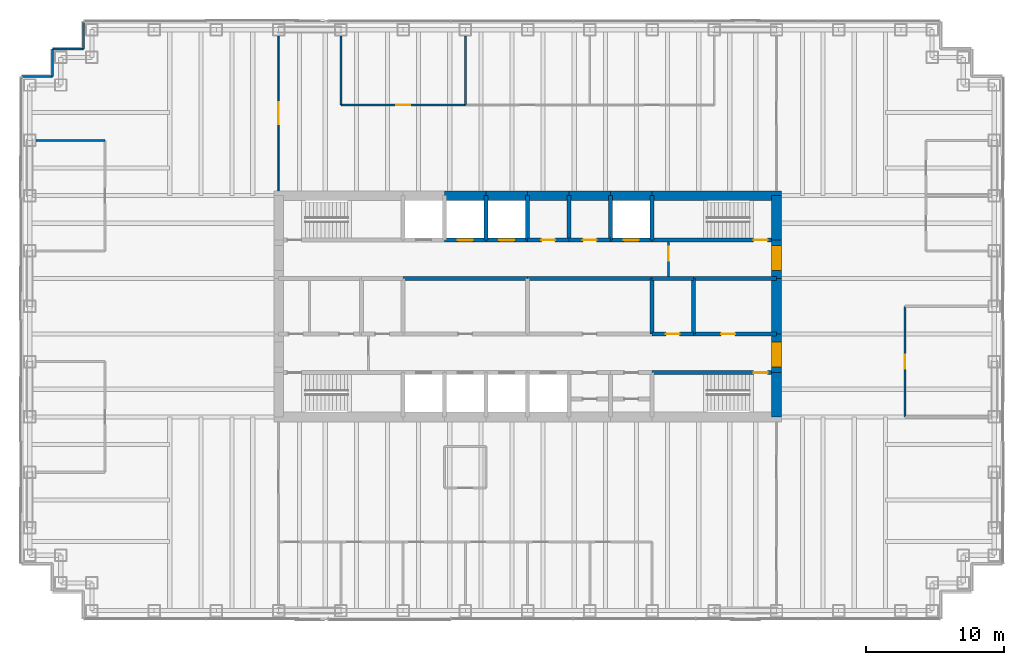
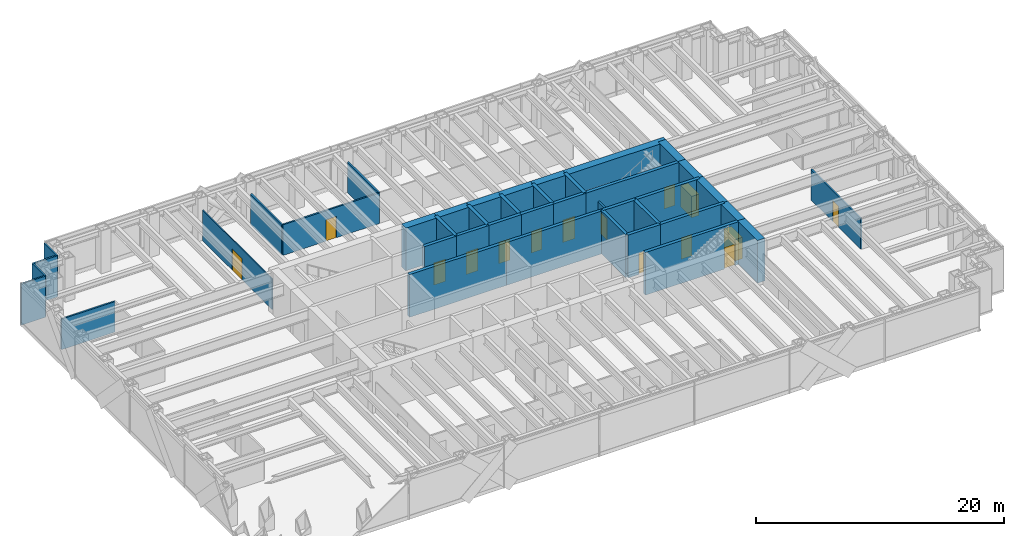
# One storey, part 15 of 17: 42 walls, 15 doors, 15 openings.
"""IFC4 building model written with IfcOpenShell, lengths in metres."""

import ifcopenshell
import ifcopenshell.guid

model = None  # the IFC model being written
_history = None  # IfcOwnerHistory: only IFC2X3 demands one
_inside = {}  # id of a spatial element -> (the spatial element, [elements in it])
_under = {}  # id of a project, library or spatial element -> (it, [spatial elements below it])
_declared = {}  # id of a project -> (the project, [libraries it declares])
_typed = {}  # id of a type object -> (the type object, [elements of that type])
_made_of = {}  # id of a material, layer set ... -> (it, [elements and type objects made of it])


def new_model(schema):
    """Start an empty IFC model of exactly this schema.

    Asked for "IFC4X3", IfcOpenShell would pick the latest addendum, in which some entities
    have other attributes; the version numbers below select the first issue.
    IFC2X3 requires an IfcOwnerHistory on every rooted entity: one is made here for all.
    """
    global model, _history
    if schema == "IFC4X3":
        model = ifcopenshell.file(schema_version=(4, 3, 0, 0))
    else:
        model = ifcopenshell.file(schema=schema)
    _inside.clear()
    _under.clear()
    _declared.clear()
    _typed.clear()
    _made_of.clear()
    _history = None
    if model.schema == "IFC2X3":
        org = make("IfcOrganization", Name="unknown")
        user = make(
            "IfcPersonAndOrganization",
            ThePerson=make("IfcPerson", FamilyName="unknown"),
            TheOrganization=org,
        )
        app = make(
            "IfcApplication",
            ApplicationDeveloper=org,
            Version="unknown",
            ApplicationFullName="unknown",
            ApplicationIdentifier="unknown",
        )
        _history = make(
            "IfcOwnerHistory",
            OwningUser=user,
            OwningApplication=app,
            ChangeAction="ADDED",
            CreationDate=0,
        )
    return model


def make(cls, **values):
    """One entity of the class cls with the attributes given. An attribute that is None is left unset."""
    return model.create_entity(
        cls, **{name: value for name, value in values.items() if value is not None}
    )


def rooted(cls, **values):
    """An entity with a GlobalId (a new one), such as an element, a storey or a relation."""
    return make(cls, GlobalId=ifcopenshell.guid.new(), OwnerHistory=_history, **values)


def si_unit(unit_type, name, prefix=None):
    """IfcSIUnit, for example si_unit("LENGTHUNIT", "METRE", prefix="MILLI")."""
    return make("IfcSIUnit", UnitType=unit_type, Prefix=prefix, Name=name)


def assignment(units):
    """IfcUnitAssignment: the units of a project."""
    return None if units is None else make("IfcUnitAssignment", Units=units)


def point(xyz):
    """IfcCartesianPoint."""
    return None if xyz is None else make("IfcCartesianPoint", Coordinates=xyz)


def direction(xyz):
    """IfcDirection."""
    return None if xyz is None else make("IfcDirection", DirectionRatios=xyz)


def frame(location, z_axis=None, x_axis=None):
    """IfcAxis2Placement3D, a coordinate frame: its origin and axes. An axis left out is left unset."""
    return make(
        "IfcAxis2Placement3D",
        Location=point(location),
        Axis=direction(z_axis),
        RefDirection=direction(x_axis),
    )


def frame_2d(location, x_axis=None):
    """IfcAxis2Placement2D, a coordinate frame in the plane: its origin and x axis."""
    return make(
        "IfcAxis2Placement2D", Location=point(location), RefDirection=direction(x_axis)
    )


def origin():
    """The frame at (0, 0, 0) with its axes left unset."""
    return frame((0.0, 0.0, 0.0))


def place(relative_to, where):
    """IfcLocalPlacement: puts the frame where relative to a parent placement (None: the world)."""
    return make(
        "IfcLocalPlacement", PlacementRelTo=relative_to, RelativePlacement=where
    )


def context(
    kind, dimensions, precision=None, world=None, true_north=None, identifier=None
):
    """IfcGeometricRepresentationContext, for example the 3D "Model" context."""
    return make(
        "IfcGeometricRepresentationContext",
        ContextIdentifier=identifier,
        ContextType=kind,
        CoordinateSpaceDimension=dimensions,
        Precision=precision,
        WorldCoordinateSystem=world,
        TrueNorth=true_north,
    )


def subcontext(parent, identifier, kind, view, scale=None):
    """IfcGeometricRepresentationSubContext, for example "Body" below "Model"."""
    return make(
        "IfcGeometricRepresentationSubContext",
        ContextIdentifier=identifier,
        ContextType=kind,
        ParentContext=parent,
        TargetScale=scale,
        TargetView=view,
    )


def project(units=None, contexts=None):
    """IfcProject with its units and contexts."""
    return rooted(
        "IfcProject",
        Name="project",
        RepresentationContexts=contexts,
        UnitsInContext=assignment(units),
    )


def spatial(cls, under=None, at=None, **own):
    """A site, building, storey or space (cls), placed at a placement, below another one or the project."""
    s = rooted(cls, ObjectPlacement=at, **own)
    if under is not None:
        _under.setdefault(under.id(), (under, []))[1].append(s)
    return s


def profile(cls, at=None, kind="AREA", **sizes):
    """A parametric profile (cls). Its sizes go by their IFC names, for example OverallWidth=200.0."""
    return make(cls, ProfileType=kind, Position=at, **sizes)


def rectangle(**sizes):
    """IfcRectangleProfileDef."""
    return profile("IfcRectangleProfileDef", **sizes)


def extrude(swept, where, along, depth):
    """IfcExtrudedAreaSolid: the profile swept, set in the frame where, extruded along a direction by depth."""
    return make(
        "IfcExtrudedAreaSolid",
        SweptArea=swept,
        Position=where,
        ExtrudedDirection=direction(along),
        Depth=depth,
    )


def shape(context_of_items, identifier, shape_type, items):
    """IfcShapeRepresentation: the items that make up one representation, for example the "Body"."""
    return make(
        "IfcShapeRepresentation",
        ContextOfItems=context_of_items,
        RepresentationIdentifier=identifier,
        RepresentationType=shape_type,
        Items=items,
    )


def material(Name=None, Category=None):
    """IfcMaterial."""
    return make("IfcMaterial", Name=Name, Category=Category)


def layer(
    of_material, thickness, ventilated=None, Name=None, Category=None, Priority=None
):
    """IfcMaterialLayer: one layer of a wall or slab, of a material (None: an air gap)."""
    return make(
        "IfcMaterialLayer",
        Material=of_material,
        LayerThickness=thickness,
        IsVentilated=ventilated,
        Name=Name,
        Category=Category,
        Priority=Priority,
    )


def layer_set(layers, Name=None):
    """IfcMaterialLayerSet."""
    return make("IfcMaterialLayerSet", MaterialLayers=layers, LayerSetName=Name)


def made_of(thing, what):
    """Note that an element or type object is made of a material, layer set ...; save() writes the relation."""
    if what is not None:
        _made_of.setdefault(what.id(), (what, []))[1].append(thing)
    return thing


def type_object(cls, material=None, **own):
    """A type object (cls), such as IfcWallType, which elements share."""
    return made_of(rooted(cls, **own), material)


def element(
    cls,
    number,
    at=None,
    inside=None,
    cuts=None,
    type_object=None,
    material=None,
    context=None,
    identifier="Body",
    shape_type=None,
    held_by="IfcProductDefinitionShape",
    body=None,
    shapes=None,
    **own,
):
    """One element of the class cls, such as IfcWall. Its Tag is "e" and its number.

    at: its placement. inside: the storey or other place that contains it. cuts: it is an
    opening in that element (IfcRelVoidsElement). A single representation is given by context,
    identifier, shape_type and body (its items); several are given by shapes. held_by: the class
    of the entity that holds the representations. save() writes the other relations.
    """
    e = rooted(cls, Tag="e%d" % number, ObjectPlacement=at, **own)
    if body is not None:
        shapes = [shape(context, identifier, shape_type, body)]
    if shapes is not None:
        e.Representation = make(held_by, Representations=shapes)
    if inside is not None:
        _inside.setdefault(inside.id(), (inside, []))[1].append(e)
    if cuts is not None:
        rooted(
            "IfcRelVoidsElement", RelatingBuildingElement=cuts, RelatedOpeningElement=e
        )
    if type_object is not None:
        _typed.setdefault(type_object.id(), (type_object, []))[1].append(e)
    return made_of(e, material)


def fill(opening, filler):
    """IfcRelFillsElement: the door or window that sits in an opening."""
    return rooted(
        "IfcRelFillsElement",
        RelatingOpeningElement=opening,
        RelatedBuildingElement=filler,
    )


def aggregate(whole, parts):
    """IfcRelAggregates: a whole, such as a stair, and the parts it consists of."""
    return rooted("IfcRelAggregates", RelatingObject=whole, RelatedObjects=parts)


def save(model, path):
    """Write the relations noted so far, then the file.

    IfcRelAggregates (storeys below a building ...), IfcRelContainedInSpatialStructure (elements
    in a storey), IfcRelDefinesByType, IfcRelAssociatesMaterial and IfcRelDeclares: one each for
    every whole, place, type object, material and project.
    """
    for whole, parts in _under.values():
        aggregate(whole, parts)
    for where, things in _inside.values():
        rooted(
            "IfcRelContainedInSpatialStructure",
            RelatedElements=things,
            RelatingStructure=where,
        )
    for kind, things in _typed.values():
        rooted("IfcRelDefinesByType", RelatedObjects=things, RelatingType=kind)
    for what, things in _made_of.values():
        rooted("IfcRelAssociatesMaterial", RelatedObjects=things, RelatingMaterial=what)
    for by, libraries in _declared.values():
        rooted("IfcRelDeclares", RelatingContext=by, RelatedDefinitions=libraries)
    model.write(path)


model = new_model("IFC4")

# Units and contexts
model_context = context("Model", 3, precision=1e-05, world=origin(), true_north=direction((0.0, 1.0)))
body_context = subcontext(model_context, "Body", "Model", "MODEL_VIEW")
ifc_project = project(units=[si_unit("LENGTHUNIT", "METRE"), si_unit("AREAUNIT", "SQUARE_METRE"), si_unit("VOLUMEUNIT", "CUBIC_METRE"), si_unit("PLANEANGLEUNIT", "RADIAN"), si_unit("MASSUNIT", "GRAM", prefix="KILO")], contexts=[model_context])

# Site, building, storey
site_placement = place(None, origin())
site = spatial("IfcSite", under=ifc_project, at=site_placement, CompositionType="ELEMENT")
building_placement = place(site_placement, origin())
building = spatial("IfcBuilding", under=site, at=building_placement, Name="Rheinbord Bourse Tower", CompositionType="ELEMENT")
storey_placement = place(building_placement, frame((0.0, 0.0, 287.89990234375)))
storey = spatial("IfcBuildingStorey", under=building, at=storey_placement, Name="L65", CompositionType="ELEMENT", Elevation=287.89990234375)

# Wall, opening, door
ifc_material_1 = material(Name="Concrete C50/60", Category="concrete")
ifc_layer_1 = layer(ifc_material_1, 0.300048828125)
ifc_layer_set_1 = layer_set([ifc_layer_1], Name="CORE INNER WALL 300")
wall_type_1 = type_object("IfcWallType", Name="CORE INNER WALL 300", PredefinedType="SOLIDWALL", material=ifc_layer_set_1)
wall_1_placement = place(storey_placement, frame((45.0, 19.199951171875, 0.0), z_axis=(0.0, 0.0, 1.0), x_axis=(1.0, 0.0, 0.0)))
wall_1 = element("IfcWall", 1, at=wall_1_placement, inside=storey, type_object=wall_type_1, Name="Core wall A8 L65", PredefinedType="SOLIDWALL", context=body_context, shape_type="SweptSolid", body=[
    extrude(rectangle(XDim=9.0, YDim=0.300048828125, at=frame_2d((4.5, 0.0))), origin(), (0.0, 0.0, 1.0), 4.2001953125),
])
opening_1_placement = place(wall_1_placement, frame((7.35009765625, 0.0, 0.0)))
opening_1 = element("IfcOpeningElement", 2, at=opening_1_placement, cuts=wall_1, Name="Opening 6530", PredefinedType="OPENING", context=body_context, shape_type="SweptSolid", body=[
    extrude(rectangle(XDim=1.0, YDim=2.10009765625, at=frame_2d((0.5, 1.050048828125))), frame((0.0, 0.159912109375, 0.0), z_axis=(0.0, -1.0, 0.0), x_axis=(1.0, 0.0, 0.0)), (0.0, 0.0, 1.0), 0.320068359375),
])
ifc_material_2 = material(Name="Steel door", Category="steel")
door_type_1 = type_object("IfcDoorType", Name="DOOR 1000 EI30", OperationType="SINGLE_SWING_LEFT", PredefinedType="DOOR", material=ifc_material_2)
door_1_placement = place(opening_1_placement, origin())
door_1 = element("IfcDoor", 3, at=door_1_placement, inside=storey, type_object=door_type_1, Name="Stair door ST3 L65", OperationType="SINGLE_SWING_RIGHT", OverallHeight=2.10009765625, OverallWidth=1.0, PredefinedType="DOOR", context=body_context, shape_type="SweptSolid", body=[
    extrude(rectangle(XDim=1.0, YDim=2.10009765625, at=frame_2d((0.5, 1.050048828125))), frame((0.0, 0.02490234375, 0.0), z_axis=(0.0, -1.0, 0.0), x_axis=(1.0, 0.0, 0.0)), (0.0, 0.0, 1.0), 0.050048828125),
])
fill(opening_1, door_1)

wall_2_placement = place(storey_placement, frame((30.0, 28.800048828125, 0.0), z_axis=(0.0, 0.0, 1.0), x_axis=(1.0, 0.0, 0.0)))
wall_2 = element("IfcWall", 4, at=wall_2_placement, inside=storey, type_object=wall_type_1, Name="Core wall B3 L65", PredefinedType="SOLIDWALL", context=body_context, shape_type="SweptSolid", body=[
    extrude(rectangle(XDim=3.0, YDim=0.300048828125, at=frame_2d((1.5, 0.0))), origin(), (0.0, 0.0, 1.0), 4.2001953125),
])
opening_2_placement = place(wall_2_placement, frame((0.949951171875, 0.0, 0.0)))
opening_2 = element("IfcOpeningElement", 5, at=opening_2_placement, cuts=wall_2, Name="Opening PD4", PredefinedType="OPENING", context=body_context, shape_type="SweptSolid", body=[
    extrude(rectangle(XDim=1.10009765625, YDim=2.199951171875, at=frame_2d((0.550048828125, 1.10009765625))), frame((0.0, 0.159912109375, 0.0), z_axis=(0.0, -1.0, 0.0), x_axis=(1.0, 0.0, 0.0)), (0.0, 0.0, 1.0), 0.320068359375),
])
ifc_material_3 = material(Name="Steel landing door", Category="steel")
door_type_2 = type_object("IfcDoorType", Name="LIFT LANDING DOOR 1100", OperationType="DOUBLE_DOOR_SLIDING", PredefinedType="USERDEFINED", material=ifc_material_3)
door_2_placement = place(opening_2_placement, origin())
door_2 = element("IfcDoor", 6, at=door_2_placement, inside=storey, type_object=door_type_2, Name="Lift landing door PD4 L65", ObjectType="LIFT LANDING DOOR", OperationType="DOUBLE_DOOR_SLIDING", OverallHeight=2.199951171875, OverallWidth=1.10009765625, PredefinedType="USERDEFINED", context=body_context, shape_type="SweptSolid", body=[
    extrude(rectangle(XDim=1.10009765625, YDim=2.199951171875, at=frame_2d((0.550048828125, 1.10009765625))), frame((0.0, 0.02490234375, 0.0), z_axis=(0.0, -1.0, 0.0), x_axis=(1.0, 0.0, 0.0)), (0.0, 0.0, 1.0), 0.050048828125),
])
fill(opening_2, door_2)

wall_3_placement = place(storey_placement, frame((33.0, 28.800048828125, 0.0), z_axis=(0.0, 0.0, 1.0), x_axis=(1.0, 0.0, 0.0)))
wall_3 = element("IfcWall", 7, at=wall_3_placement, inside=storey, type_object=wall_type_1, Name="Core wall B4 L65", PredefinedType="SOLIDWALL", context=body_context, shape_type="SweptSolid", body=[
    extrude(rectangle(XDim=3.0, YDim=0.300048828125, at=frame_2d((1.5, 0.0))), origin(), (0.0, 0.0, 1.0), 4.2001953125),
])
opening_3_placement = place(wall_3_placement, frame((0.949951171875, 0.0, 0.0)))
opening_3 = element("IfcOpeningElement", 8, at=opening_3_placement, cuts=wall_3, Name="Opening PD5", PredefinedType="OPENING", context=body_context, shape_type="SweptSolid", body=[
    extrude(rectangle(XDim=1.10009765625, YDim=2.199951171875, at=frame_2d((0.550048828125, 1.10009765625))), frame((0.0, 0.159912109375, 0.0), z_axis=(0.0, -1.0, 0.0), x_axis=(1.0, 0.0, 0.0)), (0.0, 0.0, 1.0), 0.320068359375),
])
door_3_placement = place(opening_3_placement, origin())
door_3 = element("IfcDoor", 9, at=door_3_placement, inside=storey, type_object=door_type_2, Name="Lift landing door PD5 L65", ObjectType="LIFT LANDING DOOR", OperationType="DOUBLE_DOOR_SLIDING", OverallHeight=2.199951171875, OverallWidth=1.10009765625, PredefinedType="USERDEFINED", context=body_context, shape_type="SweptSolid", body=[
    extrude(rectangle(XDim=1.10009765625, YDim=2.199951171875, at=frame_2d((0.550048828125, 1.10009765625))), frame((0.0, 0.02490234375, 0.0), z_axis=(0.0, -1.0, 0.0), x_axis=(1.0, 0.0, 0.0)), (0.0, 0.0, 1.0), 0.050048828125),
])
fill(opening_3, door_3)

wall_4_placement = place(storey_placement, frame((36.0, 28.800048828125, 0.0), z_axis=(0.0, 0.0, 1.0), x_axis=(1.0, 0.0, 0.0)))
wall_4 = element("IfcWall", 10, at=wall_4_placement, inside=storey, type_object=wall_type_1, Name="Core wall B5 L65", PredefinedType="SOLIDWALL", context=body_context, shape_type="SweptSolid", body=[
    extrude(rectangle(XDim=3.0, YDim=0.300048828125, at=frame_2d((1.5, 0.0))), origin(), (0.0, 0.0, 1.0), 4.2001953125),
])
opening_4_placement = place(wall_4_placement, frame((1.0, 0.0, 0.0)))
opening_4 = element("IfcOpeningElement", 11, at=opening_4_placement, cuts=wall_4, Name="Opening 65R10", PredefinedType="OPENING", context=body_context, shape_type="SweptSolid", body=[
    extrude(rectangle(XDim=1.0, YDim=2.10009765625, at=frame_2d((0.5, 1.050048828125))), frame((0.0, 0.159912109375, 0.0), z_axis=(0.0, -1.0, 0.0), x_axis=(1.0, 0.0, 0.0)), (0.0, 0.0, 1.0), 0.320068359375),
])
door_4_placement = place(opening_4_placement, origin())
door_4 = element("IfcDoor", 12, at=door_4_placement, inside=storey, type_object=door_type_1, Name="Archive store door L65", OperationType="SINGLE_SWING_LEFT", OverallHeight=2.10009765625, OverallWidth=1.0, PredefinedType="DOOR", context=body_context, shape_type="SweptSolid", body=[
    extrude(rectangle(XDim=1.0, YDim=2.10009765625, at=frame_2d((0.5, 1.050048828125))), frame((0.0, 0.02490234375, 0.0), z_axis=(0.0, -1.0, 0.0), x_axis=(1.0, 0.0, 0.0)), (0.0, 0.0, 1.0), 0.050048828125),
])
fill(opening_4, door_4)

wall_5_placement = place(storey_placement, frame((39.0, 28.800048828125, 0.0), z_axis=(0.0, 0.0, 1.0), x_axis=(1.0, 0.0, 0.0)))
wall_5 = element("IfcWall", 13, at=wall_5_placement, inside=storey, type_object=wall_type_1, Name="Core wall B6 L65", PredefinedType="SOLIDWALL", context=body_context, shape_type="SweptSolid", body=[
    extrude(rectangle(XDim=3.0, YDim=0.300048828125, at=frame_2d((1.5, 0.0))), origin(), (0.0, 0.0, 1.0), 4.2001953125),
])
opening_5_placement = place(wall_5_placement, frame((1.0, 0.0, 0.0)))
opening_5 = element("IfcOpeningElement", 14, at=opening_5_placement, cuts=wall_5, Name="Opening 65R11", PredefinedType="OPENING", context=body_context, shape_type="SweptSolid", body=[
    extrude(rectangle(XDim=1.0, YDim=2.10009765625, at=frame_2d((0.5, 1.050048828125))), frame((0.0, 0.159912109375, 0.0), z_axis=(0.0, -1.0, 0.0), x_axis=(1.0, 0.0, 0.0)), (0.0, 0.0, 1.0), 0.320068359375),
])
door_5_placement = place(opening_5_placement, origin())
door_5 = element("IfcDoor", 15, at=door_5_placement, inside=storey, type_object=door_type_1, Name="Mail room door L65", OperationType="SINGLE_SWING_LEFT", OverallHeight=2.10009765625, OverallWidth=1.0, PredefinedType="DOOR", context=body_context, shape_type="SweptSolid", body=[
    extrude(rectangle(XDim=1.0, YDim=2.10009765625, at=frame_2d((0.5, 1.050048828125))), frame((0.0, 0.02490234375, 0.0), z_axis=(0.0, -1.0, 0.0), x_axis=(1.0, 0.0, 0.0)), (0.0, 0.0, 1.0), 0.050048828125),
])
fill(opening_5, door_5)

wall_6_placement = place(storey_placement, frame((42.0, 28.800048828125, 0.0), z_axis=(0.0, 0.0, 1.0), x_axis=(1.0, 0.0, 0.0)))
wall_6 = element("IfcWall", 16, at=wall_6_placement, inside=storey, type_object=wall_type_1, Name="Core wall B7 L65", PredefinedType="SOLIDWALL", context=body_context, shape_type="SweptSolid", body=[
    extrude(rectangle(XDim=3.0, YDim=0.300048828125, at=frame_2d((1.5, 0.0))), origin(), (0.0, 0.0, 1.0), 4.2001953125),
])
opening_6_placement = place(wall_6_placement, frame((0.949951171875, 0.0, 0.0)))
opening_6 = element("IfcOpeningElement", 17, at=opening_6_placement, cuts=wall_6, Name="Opening FL2", PredefinedType="OPENING", context=body_context, shape_type="SweptSolid", body=[
    extrude(rectangle(XDim=1.10009765625, YDim=2.199951171875, at=frame_2d((0.550048828125, 1.10009765625))), frame((0.0, 0.159912109375, 0.0), z_axis=(0.0, -1.0, 0.0), x_axis=(1.0, 0.0, 0.0)), (0.0, 0.0, 1.0), 0.320068359375),
])
door_6_placement = place(opening_6_placement, origin())
door_6 = element("IfcDoor", 18, at=door_6_placement, inside=storey, type_object=door_type_2, Name="Lift landing door FL2 L65", ObjectType="LIFT LANDING DOOR", OperationType="DOUBLE_DOOR_SLIDING", OverallHeight=2.199951171875, OverallWidth=1.10009765625, PredefinedType="USERDEFINED", context=body_context, shape_type="SweptSolid", body=[
    extrude(rectangle(XDim=1.10009765625, YDim=2.199951171875, at=frame_2d((0.550048828125, 1.10009765625))), frame((0.0, 0.02490234375, 0.0), z_axis=(0.0, -1.0, 0.0), x_axis=(1.0, 0.0, 0.0)), (0.0, 0.0, 1.0), 0.050048828125),
])
fill(opening_6, door_6)

wall_7_placement = place(storey_placement, frame((45.0, 28.800048828125, 0.0), z_axis=(0.0, 0.0, 1.0), x_axis=(1.0, 0.0, 0.0)))
wall_7 = element("IfcWall", 19, at=wall_7_placement, inside=storey, type_object=wall_type_1, Name="Core wall B8 L65", PredefinedType="SOLIDWALL", context=body_context, shape_type="SweptSolid", body=[
    extrude(rectangle(XDim=9.0, YDim=0.300048828125, at=frame_2d((4.5, 0.0))), origin(), (0.0, 0.0, 1.0), 4.2001953125),
])
opening_7_placement = place(wall_7_placement, frame((7.35009765625, 0.0, 0.0)))
opening_7 = element("IfcOpeningElement", 20, at=opening_7_placement, cuts=wall_7, Name="Opening 6540", PredefinedType="OPENING", context=body_context, shape_type="SweptSolid", body=[
    extrude(rectangle(XDim=1.0, YDim=2.10009765625, at=frame_2d((0.5, 1.050048828125))), frame((0.0, 0.159912109375, 0.0), z_axis=(0.0, -1.0, 0.0), x_axis=(1.0, 0.0, 0.0)), (0.0, 0.0, 1.0), 0.320068359375),
])
door_7_placement = place(opening_7_placement, origin())
door_7 = element("IfcDoor", 21, at=door_7_placement, inside=storey, type_object=door_type_1, Name="Stair door ST4 L65", OperationType="SINGLE_SWING_RIGHT", OverallHeight=2.10009765625, OverallWidth=1.0, PredefinedType="DOOR", context=body_context, shape_type="SweptSolid", body=[
    extrude(rectangle(XDim=1.0, YDim=2.10009765625, at=frame_2d((0.5, 1.050048828125))), frame((0.0, 0.02490234375, 0.0), z_axis=(0.0, -1.0, 0.0), x_axis=(1.0, 0.0, 0.0)), (0.0, 0.0, 1.0), 0.050048828125),
])
fill(opening_7, door_7)

wall_8_placement = place(storey_placement, frame((45.0, 22.0, 0.0), z_axis=(0.0, 0.0, 1.0), x_axis=(1.0, 0.0, 0.0)))
wall_8 = element("IfcWall", 22, at=wall_8_placement, inside=storey, type_object=wall_type_1, Name="Core wall C5 L65", PredefinedType="SOLIDWALL", context=body_context, shape_type="SweptSolid", body=[
    extrude(rectangle(XDim=3.0, YDim=0.300048828125, at=frame_2d((1.5, 0.0))), origin(), (0.0, 0.0, 1.0), 4.2001953125),
])
opening_8_placement = place(wall_8_placement, frame((1.0, 0.0, 0.0)))
opening_8 = element("IfcOpeningElement", 23, at=opening_8_placement, cuts=wall_8, Name="Opening 65R5", PredefinedType="OPENING", context=body_context, shape_type="SweptSolid", body=[
    extrude(rectangle(XDim=1.0, YDim=2.10009765625, at=frame_2d((0.5, 1.050048828125))), frame((0.0, 0.159912109375, 0.0), z_axis=(0.0, -1.0, 0.0), x_axis=(1.0, 0.0, 0.0)), (0.0, 0.0, 1.0), 0.320068359375),
])
ifc_material_4 = material(Name="Timber door", Category="wood")
door_type_3 = type_object("IfcDoorType", Name="DOOR 1000 WC", OperationType="SINGLE_SWING_LEFT", PredefinedType="DOOR", material=ifc_material_4)
door_8_placement = place(opening_8_placement, origin())
door_8 = element("IfcDoor", 24, at=door_8_placement, inside=storey, type_object=door_type_3, Name="Accessible WC door L65", OperationType="SINGLE_SWING_LEFT", OverallHeight=2.10009765625, OverallWidth=1.0, PredefinedType="DOOR", context=body_context, shape_type="SweptSolid", body=[
    extrude(rectangle(XDim=1.0, YDim=2.10009765625, at=frame_2d((0.5, 1.050048828125))), frame((0.0, 0.02490234375, 0.0), z_axis=(0.0, -1.0, 0.0), x_axis=(1.0, 0.0, 0.0)), (0.0, 0.0, 1.0), 0.050048828125),
])
fill(opening_8, door_8)

wall_9_placement = place(storey_placement, frame((48.0, 22.0, 0.0), z_axis=(0.0, 0.0, 1.0), x_axis=(1.0, 0.0, 0.0)))
wall_9 = element("IfcWall", 25, at=wall_9_placement, inside=storey, type_object=wall_type_1, Name="Core wall C6 L65", PredefinedType="SOLIDWALL", context=body_context, shape_type="SweptSolid", body=[
    extrude(rectangle(XDim=6.0, YDim=0.300048828125, at=frame_2d((3.0, 0.0))), origin(), (0.0, 0.0, 1.0), 4.2001953125),
])
opening_9_placement = place(wall_9_placement, frame((2.0, 0.0, 0.0)))
opening_9 = element("IfcOpeningElement", 26, at=opening_9_placement, cuts=wall_9, Name="Opening 65R6", PredefinedType="OPENING", context=body_context, shape_type="SweptSolid", body=[
    extrude(rectangle(XDim=1.0, YDim=2.10009765625, at=frame_2d((0.5, 1.050048828125))), frame((0.0, 0.159912109375, 0.0), z_axis=(0.0, -1.0, 0.0), x_axis=(1.0, 0.0, 0.0)), (0.0, 0.0, 1.0), 0.320068359375),
])
door_9_placement = place(opening_9_placement, origin())
door_9 = element("IfcDoor", 27, at=door_9_placement, inside=storey, type_object=door_type_3, Name="WC women door L65", OperationType="SINGLE_SWING_LEFT", OverallHeight=2.10009765625, OverallWidth=1.0, PredefinedType="DOOR", context=body_context, shape_type="SweptSolid", body=[
    extrude(rectangle(XDim=1.0, YDim=2.10009765625, at=frame_2d((0.5, 1.050048828125))), frame((0.0, 0.02490234375, 0.0), z_axis=(0.0, -1.0, 0.0), x_axis=(1.0, 0.0, 0.0)), (0.0, 0.0, 1.0), 0.050048828125),
])
fill(opening_9, door_9)

# Walls
for number, where, z_axis, x_axis, name in (
    (28, (27.0, 26.0, 0.0), (0.0, 0.0, 1.0), (1.0, 0.0, 0.0), "Core wall D3 L65"),
    (29, (36.0, 26.0, 0.0), (0.0, 0.0, 1.0), (1.0, 0.0, 0.0), "Core wall D4 L65"),
):
    element("IfcWall", number, at=place(storey_placement, frame(where, z_axis=z_axis, x_axis=x_axis)), inside=storey, type_object=wall_type_1, Name=name, PredefinedType="SOLIDWALL", context=body_context, shape_type="SweptSolid", body=[
        extrude(rectangle(XDim=9.0, YDim=0.300048828125, at=frame_2d((4.5, 0.0))), origin(), (0.0, 0.0, 1.0), 4.2001953125),
    ])
wall_10_placement = place(storey_placement, frame((45.0, 26.0, 0.0), z_axis=(0.0, 0.0, 1.0), x_axis=(1.0, 0.0, 0.0)))
element("IfcWall", 30, at=wall_10_placement, inside=storey, type_object=wall_type_1, Name="Core wall D5 L65", PredefinedType="SOLIDWALL", context=body_context, shape_type="SweptSolid", body=[
    extrude(rectangle(XDim=3.0, YDim=0.300048828125, at=frame_2d((1.5, 0.0))), origin(), (0.0, 0.0, 1.0), 4.2001953125),
])
wall_11_placement = place(storey_placement, frame((48.0, 26.0, 0.0), z_axis=(0.0, 0.0, 1.0), x_axis=(1.0, 0.0, 0.0)))
element("IfcWall", 31, at=wall_11_placement, inside=storey, type_object=wall_type_1, Name="Core wall D6 L65", PredefinedType="SOLIDWALL", context=body_context, shape_type="SweptSolid", body=[
    extrude(rectangle(XDim=6.0, YDim=0.300048828125, at=frame_2d((3.0, 0.0))), origin(), (0.0, 0.0, 1.0), 4.2001953125),
])
for number, where, z_axis, x_axis, name in (
    (32, (33.0, 28.800048828125, 0.0), (0.0, 0.0, 1.0), (0.0, 1.0, 0.0), "Core wall NX33 L65"),
    (33, (36.0, 28.800048828125, 0.0), (0.0, 0.0, 1.0), (0.0, 1.0, 0.0), "Core wall NX36 L65"),
    (34, (39.0, 28.800048828125, 0.0), (0.0, 0.0, 1.0), (0.0, 1.0, 0.0), "Core wall NX39 L65"),
    (35, (42.0, 28.800048828125, 0.0), (0.0, 0.0, 1.0), (0.0, 1.0, 0.0), "Core wall NX42 L65"),
    (36, (45.0, 28.800048828125, 0.0), (0.0, 0.0, 1.0), (0.0, 1.0, 0.0), "Core wall NX45 L65"),
):
    element("IfcWall", number, at=place(storey_placement, frame(where, z_axis=z_axis, x_axis=x_axis)), inside=storey, type_object=wall_type_1, Name=name, PredefinedType="SOLIDWALL", context=body_context, shape_type="SweptSolid", body=[
        extrude(rectangle(XDim=3.199951171875, YDim=0.300048828125, at=frame_2d((1.60009765625, 0.0))), origin(), (0.0, 0.0, 1.0), 4.2001953125),
    ])
for number, where, z_axis, x_axis, name in (
    (37, (45.0, 22.0, 0.0), (0.0, 0.0, 1.0), (0.0, 1.0, 0.0), "Core wall MX45 L65"),
    (38, (48.0, 22.0, 0.0), (0.0, 0.0, 1.0), (0.0, 1.0, 0.0), "Core wall MX48 L65"),
):
    element("IfcWall", number, at=place(storey_placement, frame(where, z_axis=z_axis, x_axis=x_axis)), inside=storey, type_object=wall_type_1, Name=name, PredefinedType="SOLIDWALL", context=body_context, shape_type="SweptSolid", body=[
        extrude(rectangle(XDim=4.0, YDim=0.300048828125, at=frame_2d((2.0, 0.0))), origin(), (0.0, 0.0, 1.0), 4.2001953125),
    ])

# Wall, opening, door
ifc_material_5 = material(Name="Gypsum board fire partition", Category="gypsum board")
ifc_layer_2 = layer(ifc_material_5, 0.14990234375)
ifc_layer_set_2 = layer_set([ifc_layer_2], Name="CORE PARTITION 150 EI30")
wall_type_2 = type_object("IfcWallType", Name="CORE PARTITION 150 EI30", PredefinedType="PARTITIONING", material=ifc_layer_set_2)
wall_12_placement = place(storey_placement, frame((46.199951171875, 26.14990234375, 0.0), z_axis=(0.0, 0.0, 1.0), x_axis=(0.0, 1.0, 0.0)))
wall_12 = element("IfcWall", 39, at=wall_12_placement, inside=storey, type_object=wall_type_2, Name="Core partition L65-5", PredefinedType="PARTITIONING", context=body_context, shape_type="SweptSolid", body=[
    extrude(rectangle(XDim=2.5, YDim=0.14990234375, at=frame_2d((1.25, 0.0))), origin(), (0.0, 0.0, 1.0), 3.0),
])
opening_10_placement = place(wall_12_placement, frame((1.14990234375, 0.0, 0.0)))
opening_10 = element("IfcOpeningElement", 40, at=opening_10_placement, cuts=wall_12, Name="Opening 65L6", PredefinedType="OPENING", context=body_context, shape_type="SweptSolid", body=[
    extrude(rectangle(XDim=1.0, YDim=2.10009765625, at=frame_2d((0.5, 1.050048828125))), frame((0.0, 0.0849609375, 0.0), z_axis=(0.0, -1.0, 0.0), x_axis=(1.0, 0.0, 0.0)), (0.0, 0.0, 1.0), 0.169921875),
])
door_10_placement = place(opening_10_placement, origin())
door_10 = element("IfcDoor", 41, at=door_10_placement, inside=storey, type_object=door_type_1, Name="Stair lobby door L65", OperationType="SINGLE_SWING_RIGHT", OverallHeight=2.10009765625, OverallWidth=1.0, PredefinedType="DOOR", context=body_context, shape_type="SweptSolid", body=[
    extrude(rectangle(XDim=1.0, YDim=2.10009765625, at=frame_2d((0.5, 1.050048828125))), frame((0.0, 0.02490234375, 0.0), z_axis=(0.0, -1.0, 0.0), x_axis=(1.0, 0.0, 0.0)), (0.0, 0.0, 1.0), 0.050048828125),
])
fill(opening_10, door_10)

# Walls
ifc_material_6 = material(Name="Concrete C50/60", Category="concrete")
ifc_layer_3 = layer(ifc_material_6, 0.699951171875)
ifc_layer_set_3 = layer_set([ifc_layer_3], Name="CORE WALL 700")
wall_type_3 = type_object("IfcWallType", Name="CORE WALL 700", PredefinedType="SHEAR", material=ifc_layer_set_3)
wall_13_placement = place(storey_placement, frame((54.35009765625, 32.0, 0.0), z_axis=(0.0, 0.0, 1.0), x_axis=(-1.0, 0.0, 0.0)))
element("IfcWall", 42, at=wall_13_placement, inside=storey, type_object=wall_type_3, Name="Core wall N1 L65", PredefinedType="SHEAR", context=body_context, shape_type="SweptSolid", body=[
    extrude(rectangle(XDim=9.35009765625, YDim=0.699951171875, at=frame_2d((4.675048828125, 0.0))), origin(), (0.0, 0.0, 1.0), 4.2001953125),
])
for number, where, z_axis, x_axis, name in (
    (43, (45.0, 32.0, 0.0), (0.0, 0.0, 1.0), (-1.0, 0.0, 0.0), "Core wall N2 L65"),
    (44, (42.0, 32.0, 0.0), (0.0, 0.0, 1.0), (-1.0, 0.0, 0.0), "Core wall N3 L65"),
    (45, (39.0, 32.0, 0.0), (0.0, 0.0, 1.0), (-1.0, 0.0, 0.0), "Core wall N4 L65"),
    (46, (36.0, 32.0, 0.0), (0.0, 0.0, 1.0), (-1.0, 0.0, 0.0), "Core wall N5 L65"),
    (47, (33.0, 32.0, 0.0), (0.0, 0.0, 1.0), (-1.0, 0.0, 0.0), "Core wall N6 L65"),
):
    element("IfcWall", number, at=place(storey_placement, frame(where, z_axis=z_axis, x_axis=x_axis)), inside=storey, type_object=wall_type_3, Name=name, PredefinedType="SHEAR", context=body_context, shape_type="SweptSolid", body=[
        extrude(rectangle(XDim=3.0, YDim=0.699951171875, at=frame_2d((1.5, 0.0))), origin(), (0.0, 0.0, 1.0), 4.2001953125),
    ])
wall_14_placement = place(storey_placement, frame((54.0, 16.0, 0.0), z_axis=(0.0, 0.0, 1.0), x_axis=(0.0, 1.0, 0.0)))
element("IfcWall", 48, at=wall_14_placement, inside=storey, type_object=wall_type_3, Name="Core wall E1 L65", PredefinedType="SHEAR", context=body_context, shape_type="SweptSolid", body=[
    extrude(rectangle(XDim=3.199951171875, YDim=0.699951171875, at=frame_2d((1.60009765625, 0.0))), origin(), (0.0, 0.0, 1.0), 4.2001953125),
])

# Wall, opening, door
wall_15_placement = place(storey_placement, frame((54.0, 19.199951171875, 0.0), z_axis=(0.0, 0.0, 1.0), x_axis=(0.0, 1.0, 0.0)))
wall_15 = element("IfcWall", 49, at=wall_15_placement, inside=storey, type_object=wall_type_3, Name="Core wall E2 L65", PredefinedType="SHEAR", context=body_context, shape_type="SweptSolid", body=[
    extrude(rectangle(XDim=2.800048828125, YDim=0.699951171875, at=frame_2d((1.39990234375, 0.0))), origin(), (0.0, 0.0, 1.0), 4.2001953125),
])
opening_11_placement = place(wall_15_placement, frame((0.39990234375, 0.0, 0.0)))
opening_11 = element("IfcOpeningElement", 50, at=opening_11_placement, cuts=wall_15, Name="Opening 65L3", PredefinedType="OPENING", context=body_context, shape_type="SweptSolid", body=[
    extrude(rectangle(XDim=1.800048828125, YDim=2.10009765625, at=frame_2d((0.89990234375, 1.050048828125))), frame((0.0, 0.35986328125, 0.0), z_axis=(0.0, -1.0, 0.0), x_axis=(1.0, 0.0, 0.0)), (0.0, 0.0, 1.0), 0.719970703125),
])
ifc_material_7 = material(Name="Steel door", Category="steel")
door_type_4 = type_object("IfcDoorType", Name="DOOR 1800 EI30 DOUBLE", OperationType="DOUBLE_DOOR_DOUBLE_SWING", PredefinedType="DOOR", material=ifc_material_7)
door_11_placement = place(opening_11_placement, origin())
door_11 = element("IfcDoor", 51, at=door_11_placement, inside=storey, type_object=door_type_4, Name="Lobby door 3 L65", OperationType="SINGLE_SWING_LEFT", OverallHeight=2.10009765625, OverallWidth=1.800048828125, PredefinedType="DOOR", context=body_context, shape_type="SweptSolid", body=[
    extrude(rectangle(XDim=1.800048828125, YDim=2.10009765625, at=frame_2d((0.89990234375, 1.050048828125))), frame((0.0, 0.349609375, 0.0), z_axis=(0.0, -1.0, 0.0), x_axis=(1.0, 0.0, 0.0)), (0.0, 0.0, 1.0), 0.699462890625),
])
fill(opening_11, door_11)

# Wall
wall_16_placement = place(storey_placement, frame((54.0, 22.0, 0.0), z_axis=(0.0, 0.0, 1.0), x_axis=(0.0, 1.0, 0.0)))
element("IfcWall", 52, at=wall_16_placement, inside=storey, type_object=wall_type_3, Name="Core wall E3 L65", PredefinedType="SHEAR", context=body_context, shape_type="SweptSolid", body=[
    extrude(rectangle(XDim=4.0, YDim=0.699951171875, at=frame_2d((2.0, 0.0))), origin(), (0.0, 0.0, 1.0), 4.2001953125),
])

# Wall, opening, door
wall_17_placement = place(storey_placement, frame((54.0, 26.0, 0.0), z_axis=(0.0, 0.0, 1.0), x_axis=(0.0, 1.0, 0.0)))
wall_17 = element("IfcWall", 53, at=wall_17_placement, inside=storey, type_object=wall_type_3, Name="Core wall E4 L65", PredefinedType="SHEAR", context=body_context, shape_type="SweptSolid", body=[
    extrude(rectangle(XDim=2.800048828125, YDim=0.699951171875, at=frame_2d((1.39990234375, 0.0))), origin(), (0.0, 0.0, 1.0), 4.2001953125),
])
opening_12_placement = place(wall_17_placement, frame((0.60009765625, 0.0, 0.0)))
opening_12 = element("IfcOpeningElement", 54, at=opening_12_placement, cuts=wall_17, Name="Opening 65L4", PredefinedType="OPENING", context=body_context, shape_type="SweptSolid", body=[
    extrude(rectangle(XDim=1.800048828125, YDim=2.10009765625, at=frame_2d((0.89990234375, 1.050048828125))), frame((0.0, 0.35986328125, 0.0), z_axis=(0.0, -1.0, 0.0), x_axis=(1.0, 0.0, 0.0)), (0.0, 0.0, 1.0), 0.719970703125),
])
door_12_placement = place(opening_12_placement, origin())
door_12 = element("IfcDoor", 55, at=door_12_placement, inside=storey, type_object=door_type_4, Name="Lobby door 4 L65", OperationType="SINGLE_SWING_LEFT", OverallHeight=2.10009765625, OverallWidth=1.800048828125, PredefinedType="DOOR", context=body_context, shape_type="SweptSolid", body=[
    extrude(rectangle(XDim=1.800048828125, YDim=2.10009765625, at=frame_2d((0.89990234375, 1.050048828125))), frame((0.0, 0.349609375, 0.0), z_axis=(0.0, -1.0, 0.0), x_axis=(1.0, 0.0, 0.0)), (0.0, 0.0, 1.0), 0.699462890625),
])
fill(opening_12, door_12)

# Walls
wall_18_placement = place(storey_placement, frame((54.0, 28.800048828125, 0.0), z_axis=(0.0, 0.0, 1.0), x_axis=(0.0, 1.0, 0.0)))
element("IfcWall", 56, at=wall_18_placement, inside=storey, type_object=wall_type_3, Name="Core wall E5 L65", PredefinedType="SHEAR", context=body_context, shape_type="SweptSolid", body=[
    extrude(rectangle(XDim=3.199951171875, YDim=0.699951171875, at=frame_2d((1.60009765625, 0.0))), origin(), (0.0, 0.0, 1.0), 4.2001953125),
])
ifc_material_8 = material(Name="Black metal rainscreen panel", Category="aluminium")
ifc_layer_4 = layer(ifc_material_8, 0.14990234375)
ifc_layer_set_4 = layer_set([ifc_layer_4], Name="CORNER PIER CLADDING 150")
wall_type_4 = type_object("IfcWallType", Name="CORNER PIER CLADDING 150", PredefinedType="ELEMENTEDWALL", material=ifc_layer_set_4)
wall_19_placement = place(storey_placement, frame((3.89990234375, 44.60009765625, 0.0), z_axis=(0.0, 0.0, 1.0), x_axis=(0.0, -1.0, 0.0)))
element("IfcWall", 57, at=wall_19_placement, inside=storey, type_object=wall_type_4, Name="Corner pier cladding L65 12", PredefinedType="ELEMENTEDWALL", context=body_context, shape_type="SweptSolid", body=[
    extrude(rectangle(XDim=2.0, YDim=0.14990234375, at=frame_2d((1.0, 0.0))), origin(), (0.0, 0.0, 1.0), 4.0400390625),
])
wall_20_placement = place(storey_placement, frame((3.89990234375, 42.60009765625, 0.0), z_axis=(0.0, 0.0, 1.0), x_axis=(-1.0, 0.0, 0.0)))
element("IfcWall", 58, at=wall_20_placement, inside=storey, type_object=wall_type_4, Name="Corner pier cladding L65 13", PredefinedType="ELEMENTEDWALL", context=body_context, shape_type="SweptSolid", body=[
    extrude(rectangle(XDim=2.25, YDim=0.14990234375, at=frame_2d((1.125, 0.0))), origin(), (0.0, 0.0, 1.0), 4.0400390625),
])
wall_21_placement = place(storey_placement, frame((1.64990234375, 42.60009765625, 0.0), z_axis=(0.0, 0.0, 1.0), x_axis=(0.0, -1.0, 0.0)))
element("IfcWall", 59, at=wall_21_placement, inside=storey, type_object=wall_type_4, Name="Corner pier cladding L65 14", PredefinedType="ELEMENTEDWALL", context=body_context, shape_type="SweptSolid", body=[
    extrude(rectangle(XDim=2.0, YDim=0.14990234375, at=frame_2d((1.0, 0.0))), origin(), (0.0, 0.0, 1.0), 4.0400390625),
])
wall_22_placement = place(storey_placement, frame((1.64990234375, 40.60009765625, 0.0), z_axis=(0.0, 0.0, 1.0), x_axis=(-1.0, 0.0, 0.0)))
element("IfcWall", 60, at=wall_22_placement, inside=storey, type_object=wall_type_4, Name="Corner pier cladding L65 15", PredefinedType="ELEMENTEDWALL", context=body_context, shape_type="SweptSolid", body=[
    extrude(rectangle(XDim=2.25, YDim=0.14990234375, at=frame_2d((1.125, 0.0))), origin(), (0.0, 0.0, 1.0), 4.0400390625),
])
ifc_material_9 = material(Name="Gypsum board fire partition", Category="gypsum board")
ifc_layer_5 = layer(ifc_material_9, 0.14990234375)
ifc_layer_set_5 = layer_set([ifc_layer_5], Name="FIRE PARTITION 150 EI60")
wall_type_5 = type_object("IfcWallType", Name="FIRE PARTITION 150 EI60", PredefinedType="PARTITIONING", material=ifc_layer_set_5)
wall_23_placement = place(storey_placement, frame((0.449951171875, 36.0, 0.0), z_axis=(0.0, 0.0, 1.0), x_axis=(1.0, 0.0, 0.0)))
element("IfcWall", 61, at=wall_23_placement, inside=storey, type_object=wall_type_5, Name="Partition L65-11", PredefinedType="PARTITIONING", context=body_context, shape_type="SweptSolid", body=[
    extrude(rectangle(XDim=5.0, YDim=0.14990234375, at=frame_2d((2.5, 0.0))), origin(), (0.0, 0.0, 1.0), 3.0),
])

# Wall, opening, door
wall_24_placement = place(storey_placement, frame((22.5, 38.550048828125, 0.0), z_axis=(0.0, 0.0, 1.0), x_axis=(1.0, 0.0, 0.0)))
wall_24 = element("IfcWall", 62, at=wall_24_placement, inside=storey, type_object=wall_type_5, Name="Partition L65-13", PredefinedType="PARTITIONING", context=body_context, shape_type="SweptSolid", body=[
    extrude(rectangle(XDim=9.0, YDim=0.14990234375, at=frame_2d((4.5, 0.0))), origin(), (0.0, 0.0, 1.0), 3.0),
])
opening_13_placement = place(wall_24_placement, frame((4.0, 0.0, 0.0)))
opening_13 = element("IfcOpeningElement", 63, at=opening_13_placement, cuts=wall_24, Name="Opening 65D13", PredefinedType="OPENING", context=body_context, shape_type="SweptSolid", body=[
    extrude(rectangle(XDim=1.0, YDim=2.10009765625, at=frame_2d((0.5, 1.050048828125))), frame((0.0, 0.0849609375, 0.0), z_axis=(0.0, -1.0, 0.0), x_axis=(1.0, 0.0, 0.0)), (0.0, 0.0, 1.0), 0.169921875),
])
ifc_material_10 = material(Name="Timber fire door", Category="wood")
door_type_5 = type_object("IfcDoorType", Name="FIRE DOOR 1000 EI60", OperationType="SINGLE_SWING_LEFT", PredefinedType="DOOR", material=ifc_material_10)
door_13_placement = place(opening_13_placement, origin())
door_13 = element("IfcDoor", 64, at=door_13_placement, inside=storey, type_object=door_type_5, Name="Board papers room door L65", OperationType="SINGLE_SWING_LEFT", OverallHeight=2.10009765625, OverallWidth=1.0, PredefinedType="DOOR", context=body_context, shape_type="SweptSolid", body=[
    extrude(rectangle(XDim=1.0, YDim=2.10009765625, at=frame_2d((0.5, 1.050048828125))), frame((0.0, 0.02490234375, 0.0), z_axis=(0.0, -1.0, 0.0), x_axis=(1.0, 0.0, 0.0)), (0.0, 0.0, 1.0), 0.050048828125),
])
fill(opening_13, door_13)

# Walls
for number, where, z_axis, x_axis, name in (
    (65, (22.5, 38.550048828125, 0.0), (0.0, 0.0, 1.0), (0.0, 1.0, 0.0), "Partition L65-21"),
    (66, (31.5, 38.550048828125, 0.0), (0.0, 0.0, 1.0), (0.0, 1.0, 0.0), "Partition L65-25"),
):
    element("IfcWall", number, at=place(storey_placement, frame(where, z_axis=z_axis, x_axis=x_axis)), inside=storey, type_object=wall_type_5, Name=name, PredefinedType="PARTITIONING", context=body_context, shape_type="SweptSolid", body=[
        extrude(rectangle(XDim=5.0, YDim=0.14990234375, at=frame_2d((2.5, 0.0))), origin(), (0.0, 0.0, 1.0), 3.0),
    ])

# Wall, opening, door
ifc_material_11 = material(Name="Toughened laminated glass partition", Category="glass")
ifc_layer_6 = layer(ifc_material_11, 0.10009765625)
ifc_layer_set_6 = layer_set([ifc_layer_6], Name="GLAZED PARTITION 100")
wall_type_6 = type_object("IfcWallType", Name="GLAZED PARTITION 100", PredefinedType="PARTITIONING", material=ifc_layer_set_6)
wall_25_placement = place(storey_placement, frame((18.0, 32.35009765625, 0.0), z_axis=(0.0, 0.0, 1.0), x_axis=(0.0, 1.0, 0.0)))
wall_25 = element("IfcWall", 67, at=wall_25_placement, inside=storey, type_object=wall_type_6, Name="Partition L65-19", PredefinedType="PARTITIONING", context=body_context, shape_type="SweptSolid", body=[
    extrude(rectangle(XDim=11.199951171875, YDim=0.10009765625, at=frame_2d((5.60009765625, 0.0))), origin(), (0.0, 0.0, 1.0), 3.0),
])
opening_14_placement = place(wall_25_placement, frame((4.800048828125, 0.0, 0.0)))
opening_14 = element("IfcOpeningElement", 68, at=opening_14_placement, cuts=wall_25, Name="Opening 65D17", PredefinedType="OPENING", context=body_context, shape_type="SweptSolid", body=[
    extrude(rectangle(XDim=1.60009765625, YDim=2.10009765625, at=frame_2d((0.800048828125, 1.050048828125))), frame((0.0, 0.06005859375, 0.0), z_axis=(0.0, -1.0, 0.0), x_axis=(1.0, 0.0, 0.0)), (0.0, 0.0, 1.0), 0.1201171875),
])
ifc_material_12 = material(Name="Timber door", Category="wood")
door_type_6 = type_object("IfcDoorType", Name="DOUBLE ROOM DOOR 1600", OperationType="DOUBLE_DOOR_DOUBLE_SWING", PredefinedType="DOOR", material=ifc_material_12)
door_14_placement = place(opening_14_placement, origin())
door_14 = element("IfcDoor", 69, at=door_14_placement, inside=storey, type_object=door_type_6, Name="Open area door L65", OperationType="SINGLE_SWING_LEFT", OverallHeight=2.10009765625, OverallWidth=1.60009765625, PredefinedType="DOOR", context=body_context, shape_type="SweptSolid", body=[
    extrude(rectangle(XDim=1.60009765625, YDim=2.10009765625, at=frame_2d((0.800048828125, 1.050048828125))), frame((0.0, 0.02490234375, 0.0), z_axis=(0.0, -1.0, 0.0), x_axis=(1.0, 0.0, 0.0)), (0.0, 0.0, 1.0), 0.050048828125),
])
fill(opening_14, door_14)

ifc_material_13 = material(Name="Gypsum board partition", Category="gypsum board")
ifc_layer_7 = layer(ifc_material_13, 0.14990234375)
ifc_layer_set_7 = layer_set([ifc_layer_7], Name="PARTITION 150")
wall_type_7 = type_object("IfcWallType", Name="PARTITION 150", PredefinedType="PARTITIONING", material=ifc_layer_set_7)
wall_26_placement = place(storey_placement, frame((63.300048828125, 16.0, 0.0), z_axis=(0.0, 0.0, 1.0), x_axis=(0.0, 1.0, 0.0)))
wall_26 = element("IfcWall", 70, at=wall_26_placement, inside=storey, type_object=wall_type_7, Name="Partition L65-34", PredefinedType="PARTITIONING", context=body_context, shape_type="SweptSolid", body=[
    extrude(rectangle(XDim=8.0, YDim=0.14990234375, at=frame_2d((4.0, 0.0))), origin(), (0.0, 0.0, 1.0), 3.0),
])
opening_15_placement = place(wall_26_placement, frame((3.5, 0.0, 0.0)))
opening_15 = element("IfcOpeningElement", 71, at=opening_15_placement, cuts=wall_26, Name="Opening 65D09", PredefinedType="OPENING", context=body_context, shape_type="SweptSolid", body=[
    extrude(rectangle(XDim=1.0, YDim=2.10009765625, at=frame_2d((0.5, 1.050048828125))), frame((0.0, 0.0849609375, 0.0), z_axis=(0.0, -1.0, 0.0), x_axis=(1.0, 0.0, 0.0)), (0.0, 0.0, 1.0), 0.169921875),
])
ifc_material_14 = material(Name="Timber door", Category="wood")
door_type_7 = type_object("IfcDoorType", Name="ROOM DOOR 1000", OperationType="SINGLE_SWING_LEFT", PredefinedType="DOOR", material=ifc_material_14)
door_15_placement = place(opening_15_placement, origin())
door_15 = element("IfcDoor", 72, at=door_15_placement, inside=storey, type_object=door_type_7, Name="Pantry door L65", OperationType="SINGLE_SWING_LEFT", OverallHeight=2.10009765625, OverallWidth=1.0, PredefinedType="DOOR", context=body_context, shape_type="SweptSolid", body=[
    extrude(rectangle(XDim=1.0, YDim=2.10009765625, at=frame_2d((0.5, 1.050048828125))), frame((0.0, 0.02490234375, 0.0), z_axis=(0.0, -1.0, 0.0), x_axis=(1.0, 0.0, 0.0)), (0.0, 0.0, 1.0), 0.050048828125),
])
fill(opening_15, door_15)

save(model, "model.ifc")
